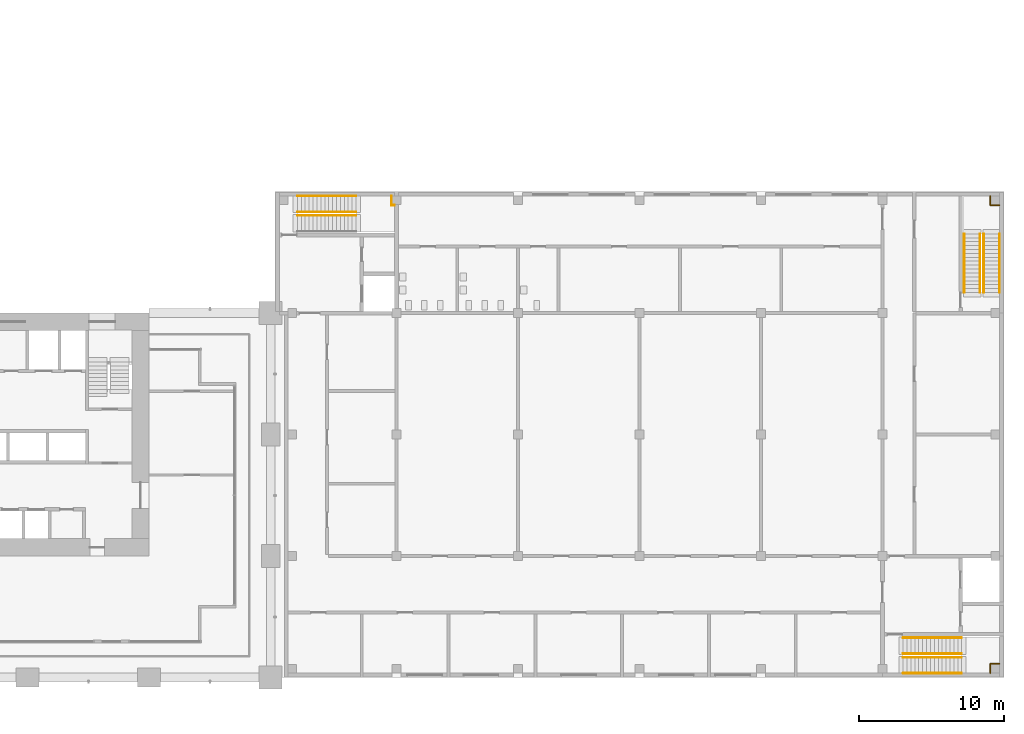
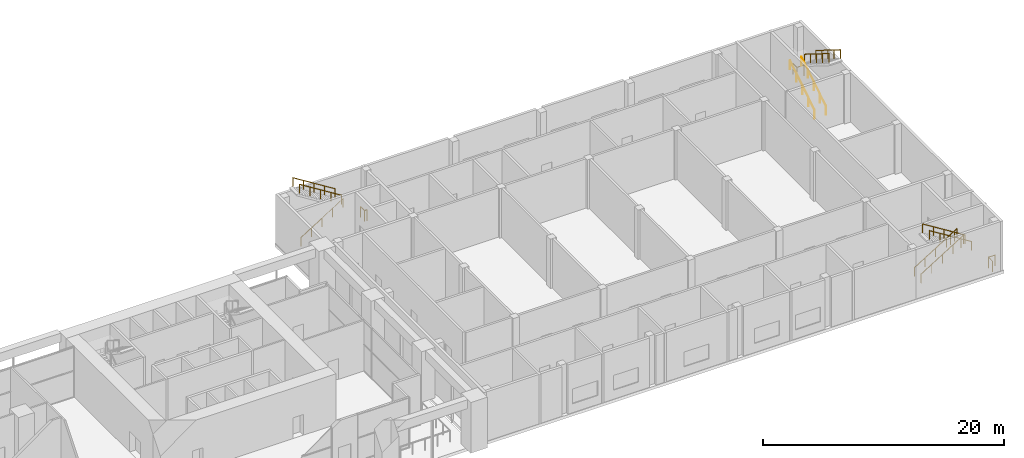
# One storey, part 31 of 32: 14 railings.
"""IFC4 building model written with IfcOpenShell, lengths in metres."""

from ifc_helpers import new_model, si_unit, direction, frame, origin, origin_2d, place, context, subcontext, project, spatial, circle, extrude, material, type_object, element, save


model = new_model("IFC4")

# Units and contexts
model_context = context("Model", 3, precision=1e-05, world=origin(), true_north=direction((0.0, 1.0)))
body_context = subcontext(model_context, "Body", "Model", "MODEL_VIEW")
ifc_project = project(units=[si_unit("LENGTHUNIT", "METRE"), si_unit("AREAUNIT", "SQUARE_METRE"), si_unit("VOLUMEUNIT", "CUBIC_METRE"), si_unit("PLANEANGLEUNIT", "RADIAN"), si_unit("MASSUNIT", "GRAM", prefix="KILO")], contexts=[model_context])

# Site, building, storey
site_placement = place(None, origin())
site = spatial("IfcSite", under=ifc_project, at=site_placement, CompositionType="ELEMENT")
building_placement = place(site_placement, origin())
building = spatial("IfcBuilding", under=site, at=building_placement, Name="Vermilion Gate Residences", CompositionType="ELEMENT")
storey_placement = place(building_placement, frame((0.0, 0.0, 19.800048828125)))
storey = spatial("IfcBuildingStorey", under=building, at=storey_placement, Name="L03", CompositionType="ELEMENT", Elevation=19.800048828125)

# Railings
ifc_material_1 = material(Name="Steel", Category="steel")
railing_type_1 = type_object("IfcRailingType", Name="STEEL GUARD 1100 (MARKET HALL)", PredefinedType="GUARDRAIL", material=ifc_material_1)
railing_1_placement = place(storey_placement, frame((75.77490234375, 32.64990234375, 0.0)))
element("IfcRailing", 1, at=railing_1_placement, inside=storey, type_object=railing_type_1, Name="Stair well end guard A L03", PredefinedType="GUARDRAIL", context=body_context, shape_type="SweptSolid", body=[
    extrude(circle(Radius=0.02490234375, at=origin_2d()), frame((0.0, 0.0, 1.0751953125), z_axis=(-1.0, 0.0, 0.0), x_axis=(0.0, -1.0, 0.0)), (0.0, 0.0, 1.0), 0.224853515625),
    extrude(circle(Radius=0.02490234375, at=origin_2d()), frame((-0.224853515625, 0.0, 1.0751953125), z_axis=(0.0, 1.0, 0.0), x_axis=(-1.0, 0.0, 0.0)), (0.0, 0.0, 1.0), 0.64990234375),
    extrude(circle(Radius=0.02001953125, at=origin_2d()), origin(), (0.0, 0.0, 1.0), 1.050048828125),
    extrude(circle(Radius=0.02001953125, at=origin_2d()), frame((-0.224853515625, 0.0, 0.0)), (0.0, 0.0, 1.0), 1.050048828125),
    extrude(circle(Radius=0.02001953125, at=origin_2d()), frame((-0.224853515625, 0.64990234375, 0.0)), (0.0, 0.0, 1.0), 1.050048828125),
])
railing_2_placement = place(storey_placement, frame((116.949951171875, 0.300048828125, 0.0)))
element("IfcRailing", 2, at=railing_2_placement, inside=storey, type_object=railing_type_1, Name="Stair well end guard B L03", PredefinedType="GUARDRAIL", context=body_context, shape_type="SweptSolid", body=[
    extrude(circle(Radius=0.02490234375, at=origin_2d()), frame((0.0, 0.0, 1.0751953125), z_axis=(0.0, 1.0, 0.0), x_axis=(-1.0, 0.0, 0.0)), (0.0, 0.0, 1.0), 0.64990234375),
    extrude(circle(Radius=0.02490234375, at=origin_2d()), frame((0.0, 0.64990234375, 1.0751953125), z_axis=(1.0, 0.0, 0.0), x_axis=(0.0, 1.0, 0.0)), (0.0, 0.0, 1.0), 0.64990234375),
    extrude(circle(Radius=0.02001953125, at=origin_2d()), origin(), (0.0, 0.0, 1.0), 1.050048828125),
    extrude(circle(Radius=0.02001953125, at=origin_2d()), frame((0.0, 0.64990234375, 0.0)), (0.0, 0.0, 1.0), 1.050048828125),
    extrude(circle(Radius=0.02001953125, at=origin_2d()), frame((0.64990234375, 0.64990234375, 0.0)), (0.0, 0.0, 1.0), 1.050048828125),
])
railing_3_placement = place(storey_placement, frame((117.599853515625, 32.64990234375, 0.0)))
element("IfcRailing", 3, at=railing_3_placement, inside=storey, type_object=railing_type_1, Name="Stair well end guard C L03", PredefinedType="GUARDRAIL", context=body_context, shape_type="SweptSolid", body=[
    extrude(circle(Radius=0.02490234375, at=origin_2d()), frame((0.0, 0.0, 1.0751953125), z_axis=(-1.0, 0.0, 0.0), x_axis=(0.0, -1.0, 0.0)), (0.0, 0.0, 1.0), 0.64990234375),
    extrude(circle(Radius=0.02490234375, at=origin_2d()), frame((-0.64990234375, 0.0, 1.0751953125), z_axis=(0.0, 1.0, 0.0), x_axis=(-1.0, 0.0, 0.0)), (0.0, 0.0, 1.0), 0.64990234375),
    extrude(circle(Radius=0.02001953125, at=origin_2d()), origin(), (0.0, 0.0, 1.0), 1.050048828125),
    extrude(circle(Radius=0.02001953125, at=origin_2d()), frame((-0.64990234375, 0.0, 0.0)), (0.0, 0.0, 1.0), 1.050048828125),
    extrude(circle(Radius=0.02001953125, at=origin_2d()), frame((-0.64990234375, 0.64990234375, 0.0)), (0.0, 0.0, 1.0), 1.050048828125),
])
ifc_material_2 = material(Name="Steel", Category="steel")
railing_type_2 = type_object("IfcRailingType", Name="STEEL HANDRAIL 900 (MARKET HALL)", PredefinedType="HANDRAIL", material=ifc_material_2)
railing_4_placement = place(storey_placement, frame((69.050048828125, 31.949951171875, 0.168701171875)))
element("IfcRailing", 4, at=railing_4_placement, inside=storey, type_object=railing_type_2, Name="Stair handrail STH1-03-1b", PredefinedType="HANDRAIL", context=body_context, shape_type="SweptSolid", body=[
    extrude(circle(Radius=0.0224609375, at=origin_2d()), frame((0.0, 0.0, 0.87744140625), z_axis=(0.848001175806, 0.0, 0.529994345094), x_axis=(0.0, 1.0, 0.0)), (0.0, 0.0, 1.0), 4.77587890625),
    extrude(circle(Radius=0.02001953125, at=origin_2d()), origin(), (0.0, 0.0, 1.0), 0.85498046875),
    extrude(circle(Radius=0.02001953125, at=origin_2d()), frame((1.012451171875, 0.0, 0.6328125)), (0.0, 0.0, 1.0), 0.85498046875),
    extrude(circle(Radius=0.02001953125, at=origin_2d()), frame((2.02490234375, 0.0, 1.265625)), (0.0, 0.0, 1.0), 0.85498046875),
    extrude(circle(Radius=0.02001953125, at=origin_2d()), frame((3.03759765625, 0.0, 1.8984375)), (0.0, 0.0, 1.0), 0.85498046875),
    extrude(circle(Radius=0.02001953125, at=origin_2d()), frame((4.050048828125, 0.0, 2.53125)), (0.0, 0.0, 1.0), 0.85498046875),
])
for number, where, name in (
    (5, (73.10009765625, 32.199951171875, 2.86865234375), "Stair handrail STH1-03-2a"),
    (6, (73.10009765625, 33.300048828125, 2.86865234375), "Stair handrail STH1-03-2b"),
):
    element("IfcRailing", number, at=place(storey_placement, frame(where)), inside=storey, type_object=railing_type_2, Name=name, PredefinedType="HANDRAIL", context=body_context, shape_type="SweptSolid", body=[
        extrude(circle(Radius=0.0224609375, at=origin_2d()), frame((0.0, 0.0, 0.87744140625), z_axis=(-0.848001175806, 0.0, 0.529994345094), x_axis=(0.0, -1.0, 0.0)), (0.0, 0.0, 1.0), 4.77587890625),
        extrude(circle(Radius=0.02001953125, at=origin_2d()), origin(), (0.0, 0.0, 1.0), 0.85498046875),
        extrude(circle(Radius=0.02001953125, at=origin_2d()), frame((-1.012451171875, 0.0, 0.6328125)), (0.0, 0.0, 1.0), 0.85498046875),
        extrude(circle(Radius=0.02001953125, at=origin_2d()), frame((-2.02490234375, 0.0, 1.265625)), (0.0, 0.0, 1.0), 0.85498046875),
        extrude(circle(Radius=0.02001953125, at=origin_2d()), frame((-3.03759765625, 0.0, 1.8984375)), (0.0, 0.0, 1.0), 0.85498046875),
        extrude(circle(Radius=0.02001953125, at=origin_2d()), frame((-4.050048828125, 0.0, 2.53125)), (0.0, 0.0, 1.0), 0.85498046875),
    ])
for number, where, name in (
    (7, (110.925048828125, 2.75, 0.168701171875), "Stair handrail STH2-03-1a"),
    (8, (110.925048828125, 1.64990234375, 0.168701171875), "Stair handrail STH2-03-1b"),
):
    element("IfcRailing", number, at=place(storey_placement, frame(where)), inside=storey, type_object=railing_type_2, Name=name, PredefinedType="HANDRAIL", context=body_context, shape_type="SweptSolid", body=[
        extrude(circle(Radius=0.0224609375, at=origin_2d()), frame((0.0, 0.0, 0.87744140625), z_axis=(0.848001175806, 0.0, 0.529994345094), x_axis=(0.0, 1.0, 0.0)), (0.0, 0.0, 1.0), 4.77587890625),
        extrude(circle(Radius=0.02001953125, at=origin_2d()), origin(), (0.0, 0.0, 1.0), 0.85498046875),
        extrude(circle(Radius=0.02001953125, at=origin_2d()), frame((1.012451171875, 0.0, 0.6328125)), (0.0, 0.0, 1.0), 0.85498046875),
        extrude(circle(Radius=0.02001953125, at=origin_2d()), frame((2.02490234375, 0.0, 1.265625)), (0.0, 0.0, 1.0), 0.85498046875),
        extrude(circle(Radius=0.02001953125, at=origin_2d()), frame((3.03759765625, 0.0, 1.8984375)), (0.0, 0.0, 1.0), 0.85498046875),
        extrude(circle(Radius=0.02001953125, at=origin_2d()), frame((4.050048828125, 0.0, 2.53125)), (0.0, 0.0, 1.0), 0.85498046875),
    ])
for number, where, name in (
    (9, (114.97509765625, 1.39990234375, 2.86865234375), "Stair handrail STH2-03-2a"),
    (10, (114.97509765625, 0.300048828125, 2.86865234375), "Stair handrail STH2-03-2b"),
):
    element("IfcRailing", number, at=place(storey_placement, frame(where)), inside=storey, type_object=railing_type_2, Name=name, PredefinedType="HANDRAIL", context=body_context, shape_type="SweptSolid", body=[
        extrude(circle(Radius=0.0224609375, at=origin_2d()), frame((0.0, 0.0, 0.87744140625), z_axis=(-0.848001175806, 0.0, 0.529994345094), x_axis=(0.0, -1.0, 0.0)), (0.0, 0.0, 1.0), 4.77587890625),
        extrude(circle(Radius=0.02001953125, at=origin_2d()), origin(), (0.0, 0.0, 1.0), 0.85498046875),
        extrude(circle(Radius=0.02001953125, at=origin_2d()), frame((-1.012451171875, 0.0, 0.6328125)), (0.0, 0.0, 1.0), 0.85498046875),
        extrude(circle(Radius=0.02001953125, at=origin_2d()), frame((-2.02490234375, 0.0, 1.265625)), (0.0, 0.0, 1.0), 0.85498046875),
        extrude(circle(Radius=0.02001953125, at=origin_2d()), frame((-3.03759765625, 0.0, 1.8984375)), (0.0, 0.0, 1.0), 0.85498046875),
        extrude(circle(Radius=0.02001953125, at=origin_2d()), frame((-4.050048828125, 0.0, 2.53125)), (0.0, 0.0, 1.0), 0.85498046875),
    ])
for number, where, name in (
    (11, (115.14990234375, 26.625, 0.168701171875), "Stair handrail STH3-03-1a"),
    (12, (116.25, 26.625, 0.168701171875), "Stair handrail STH3-03-1b"),
):
    element("IfcRailing", number, at=place(storey_placement, frame(where)), inside=storey, type_object=railing_type_2, Name=name, PredefinedType="HANDRAIL", context=body_context, shape_type="SweptSolid", body=[
        extrude(circle(Radius=0.0224609375, at=origin_2d()), frame((0.0, 0.0, 0.87744140625), z_axis=(0.0, 0.848001175806, 0.529994345094), x_axis=(-1.0, 0.0, 0.0)), (0.0, 0.0, 1.0), 4.77587890625),
        extrude(circle(Radius=0.02001953125, at=origin_2d()), origin(), (0.0, 0.0, 1.0), 0.85498046875),
        extrude(circle(Radius=0.02001953125, at=origin_2d()), frame((0.0, 1.012451171875, 0.6328125)), (0.0, 0.0, 1.0), 0.85498046875),
        extrude(circle(Radius=0.02001953125, at=origin_2d()), frame((0.0, 2.02490234375, 1.265625)), (0.0, 0.0, 1.0), 0.85498046875),
        extrude(circle(Radius=0.02001953125, at=origin_2d()), frame((0.0, 3.03759765625, 1.8984375)), (0.0, 0.0, 1.0), 0.85498046875),
        extrude(circle(Radius=0.02001953125, at=origin_2d()), frame((0.0, 4.050048828125, 2.53125)), (0.0, 0.0, 1.0), 0.85498046875),
    ])
for number, where, name in (
    (13, (116.5, 30.675048828125, 2.86865234375), "Stair handrail STH3-03-2a"),
    (14, (117.60009765625, 30.675048828125, 2.86865234375), "Stair handrail STH3-03-2b"),
):
    element("IfcRailing", number, at=place(storey_placement, frame(where)), inside=storey, type_object=railing_type_2, Name=name, PredefinedType="HANDRAIL", context=body_context, shape_type="SweptSolid", body=[
        extrude(circle(Radius=0.0224609375, at=origin_2d()), frame((0.0, 0.0, 0.87744140625), z_axis=(0.0, -0.848001175806, 0.529994345094), x_axis=(1.0, 0.0, 0.0)), (0.0, 0.0, 1.0), 4.77587890625),
        extrude(circle(Radius=0.02001953125, at=origin_2d()), origin(), (0.0, 0.0, 1.0), 0.85498046875),
        extrude(circle(Radius=0.02001953125, at=origin_2d()), frame((0.0, -1.012451171875, 0.6328125)), (0.0, 0.0, 1.0), 0.85498046875),
        extrude(circle(Radius=0.02001953125, at=origin_2d()), frame((0.0, -2.02490234375, 1.265625)), (0.0, 0.0, 1.0), 0.85498046875),
        extrude(circle(Radius=0.02001953125, at=origin_2d()), frame((0.0, -3.03759765625, 1.8984375)), (0.0, 0.0, 1.0), 0.85498046875),
        extrude(circle(Radius=0.02001953125, at=origin_2d()), frame((0.0, -4.050048828125, 2.53125)), (0.0, 0.0, 1.0), 0.85498046875),
    ])

save(model, "model.ifc")
